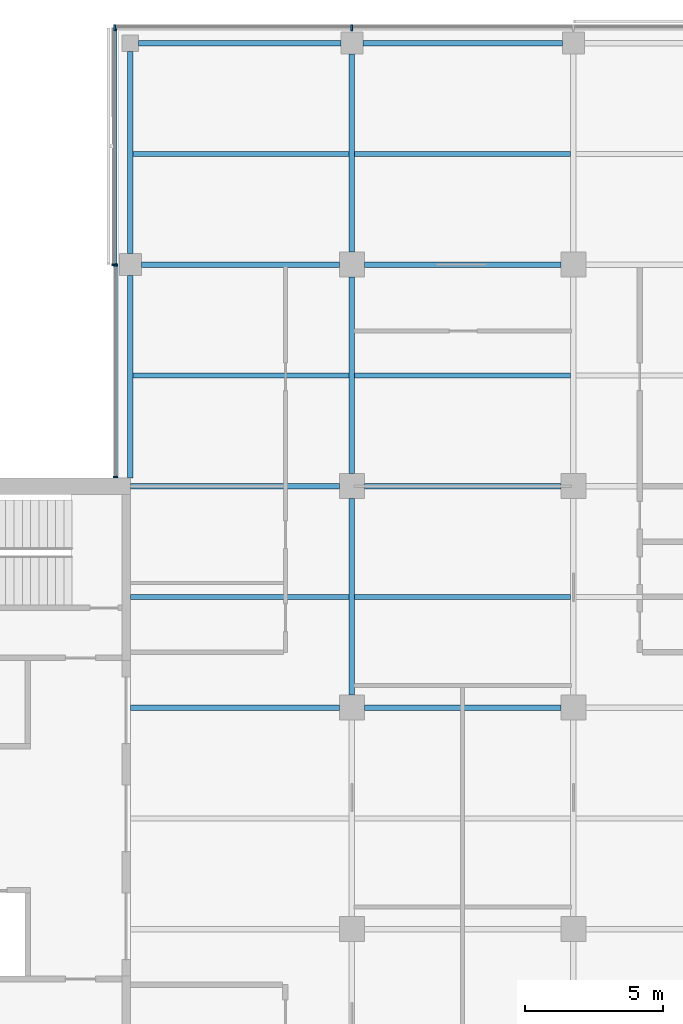
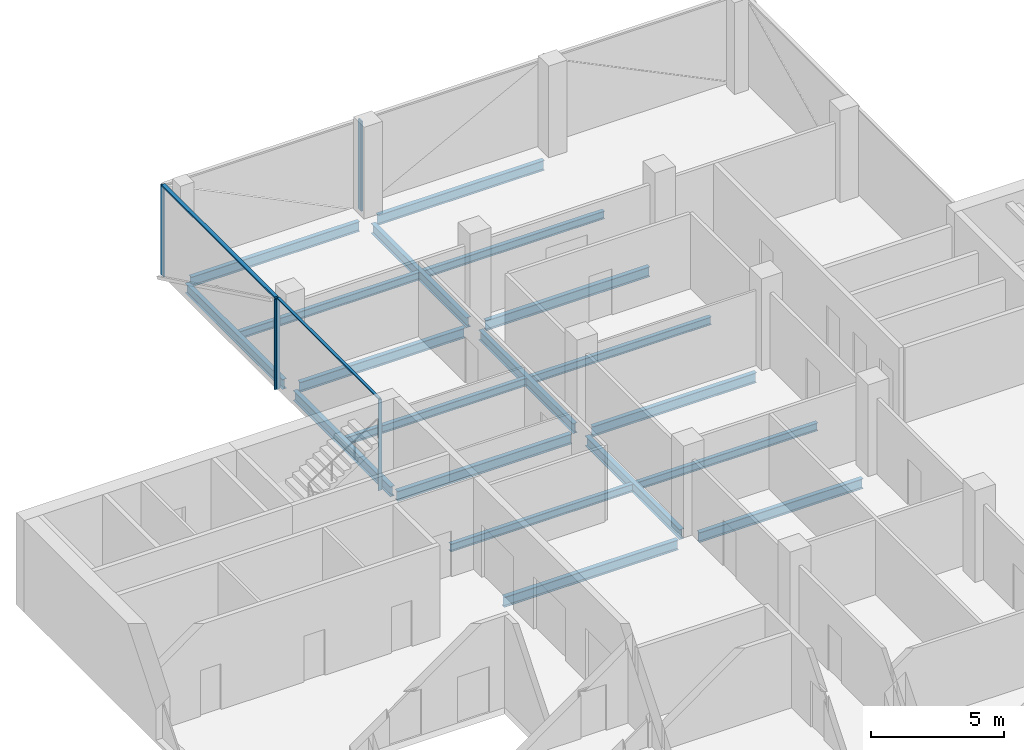
# One storey, part 5 of 16: 19 beams, 7 members, 3 elements without a shape of their own.
"""IFC4 building model written with IfcOpenShell, lengths in metres."""

from ifc_helpers import new_model, si_unit, direction, frame, origin, origin_2d, place, context, subcontext, project, spatial, rectangle, i_section, extrude, material, material_profile, profile_set, type_object, element, aggregate, save


model = new_model("IFC4")

# Units and contexts
model_context = context("Model", 3, precision=1e-05, world=origin(), true_north=direction((0.0, 1.0)))
body_context = subcontext(model_context, "Body", "Model", "MODEL_VIEW")
ifc_project = project(units=[si_unit("LENGTHUNIT", "METRE"), si_unit("AREAUNIT", "SQUARE_METRE"), si_unit("VOLUMEUNIT", "CUBIC_METRE"), si_unit("PLANEANGLEUNIT", "RADIAN"), si_unit("MASSUNIT", "GRAM", prefix="KILO")], contexts=[model_context])

# Site, building, storey
site_placement = place(None, origin())
site = spatial("IfcSite", under=ifc_project, at=site_placement, CompositionType="ELEMENT")
building_placement = place(site_placement, origin())
building = spatial("IfcBuilding", under=site, at=building_placement, Name="Crosswind Convention Tower", CompositionType="ELEMENT")
storey_placement = place(building_placement, frame((0.0, 0.0, 212.5)))
storey = spatial("IfcBuildingStorey", under=building, at=storey_placement, Name="L45", CompositionType="ELEMENT", Elevation=212.5)

# Beams
ifc_material_1 = material(Name="Steel S355", Category="steel")
ifc_material_profile_1 = material_profile(ifc_material_1, i_section(OverallWidth=0.18994140625, OverallDepth=0.45361328125, WebThickness=0.008544921875, FlangeThickness=0.0126953125, FilletRadius=0.01025390625, at=origin_2d()), Name="UB 457x191x67")
ifc_profile_set_1 = profile_set([ifc_material_profile_1], Name="Steel S355")
beam_type_1 = type_object("IfcBeamType", Name="Edge beam UB 457x191x67", PredefinedType="SPANDREL", material=ifc_profile_set_1)
for number, where, z_axis, x_axis, name in (
    (1, (113.0, 112.300048828125, -0.52685546875), (0.0, 1.0, 0.0), (-1.0, 0.0, 0.0), "B16 L45 edge beam 3"),
    (2, (113.0, 120.39990234375, -0.52685546875), (0.0, 1.0, 0.0), (-1.0, 0.0, 0.0), "B16 L45 edge beam 4"),
    (3, (113.300048828125, 128.0, -0.52685546875), (1.0, 0.0, 0.0), (0.0, 1.0, 0.0), "B16 L45 edge beam 6"),
):
    element("IfcBeam", number, at=place(storey_placement, frame(where, z_axis=z_axis, x_axis=x_axis)), inside=storey, type_object=beam_type_1, Name=name, PredefinedType="SPANDREL", context=body_context, shape_type="SweptSolid", body=[
        extrude(i_section(OverallWidth=0.18994140625, OverallDepth=0.45361328125, WebThickness=0.008544921875, FlangeThickness=0.0126953125, FilletRadius=0.01025390625, at=origin_2d()), origin(), (0.0, 0.0, 1.0), 7.300048828125),
    ])
beam_1_placement = place(storey_placement, frame((121.39990234375, 128.0, -0.52685546875), z_axis=(1.0, 0.0, 0.0), x_axis=(0.0, 1.0, 0.0)))
element("IfcBeam", 4, at=beam_1_placement, inside=storey, type_object=beam_type_1, Name="B16 L45 edge beam 8", PredefinedType="SPANDREL", context=body_context, shape_type="SweptSolid", body=[
    extrude(i_section(OverallWidth=0.18994140625, OverallDepth=0.45361328125, WebThickness=0.008544921875, FlangeThickness=0.0126953125, FilletRadius=0.01025390625, at=origin_2d()), origin(), (0.0, 0.0, 1.0), 7.2001953125),
])
ifc_material_profile_2 = material_profile(ifc_material_1, i_section(OverallWidth=0.1904296875, OverallDepth=0.457275390625, WebThickness=0.009033203125, FlangeThickness=0.014404296875, FilletRadius=0.01025390625, at=origin_2d()), Name="UB 457x191x75")
ifc_profile_set_2 = profile_set([ifc_material_profile_2], Name="Steel S355")
beam_type_2 = type_object("IfcBeamType", Name="Girder UB 457x191x75", PredefinedType="BEAM", material=ifc_profile_set_2)
beam_2_placement = place(storey_placement, frame((113.39990234375, 120.0, -0.528564453125), z_axis=(1.0, 0.0, 0.0), x_axis=(0.0, 1.0, 0.0)))
element("IfcBeam", 5, at=beam_2_placement, inside=storey, type_object=beam_type_2, Name="B2 L45 girder 2", PredefinedType="BEAM", context=body_context, shape_type="SweptSolid", body=[
    extrude(i_section(OverallWidth=0.1904296875, OverallDepth=0.457275390625, WebThickness=0.009033203125, FlangeThickness=0.014404296875, FilletRadius=0.01025390625, at=origin_2d()), origin(), (0.0, 0.0, 1.0), 7.150146484375),
])
for number, where, z_axis, x_axis, name in (
    (6, (121.0, 104.449951171875, -0.528564453125), (0.0, 1.0, 0.0), (-1.0, 0.0, 0.0), "B2 L45 girder 7"),
    (7, (121.0, 112.449951171875, -0.528564453125), (0.0, 1.0, 0.0), (-1.0, 0.0, 0.0), "B2 L45 girder 8"),
):
    element("IfcBeam", number, at=place(storey_placement, frame(where, z_axis=z_axis, x_axis=x_axis)), inside=storey, type_object=beam_type_2, Name=name, PredefinedType="BEAM", context=body_context, shape_type="SweptSolid", body=[
        extrude(i_section(OverallWidth=0.1904296875, OverallDepth=0.457275390625, WebThickness=0.009033203125, FlangeThickness=0.014404296875, FilletRadius=0.01025390625, at=origin_2d()), origin(), (0.0, 0.0, 1.0), 7.10009765625),
    ])
beam_3_placement = place(storey_placement, frame((121.0, 120.449951171875, -0.528564453125), z_axis=(0.0, 1.0, 0.0), x_axis=(-1.0, 0.0, 0.0)))
element("IfcBeam", 8, at=beam_3_placement, inside=storey, type_object=beam_type_2, Name="B2 L45 girder 9", PredefinedType="BEAM", context=body_context, shape_type="SweptSolid", body=[
    extrude(i_section(OverallWidth=0.1904296875, OverallDepth=0.457275390625, WebThickness=0.009033203125, FlangeThickness=0.014404296875, FilletRadius=0.01025390625, at=origin_2d()), origin(), (0.0, 0.0, 1.0), 7.150146484375),
])
for number, where, z_axis, x_axis, name in (
    (9, (121.449951171875, 104.0, -0.528564453125), (1.0, 0.0, 0.0), (0.0, 1.0, 0.0), "B2 L45 girder 13"),
    (10, (121.449951171875, 112.0, -0.528564453125), (1.0, 0.0, 0.0), (0.0, 1.0, 0.0), "B2 L45 girder 14"),
    (11, (121.449951171875, 120.0, -0.528564453125), (1.0, 0.0, 0.0), (0.0, 1.0, 0.0), "B2 L45 girder 15"),
):
    element("IfcBeam", number, at=place(storey_placement, frame(where, z_axis=z_axis, x_axis=x_axis)), inside=storey, type_object=beam_type_2, Name=name, PredefinedType="BEAM", context=body_context, shape_type="SweptSolid", body=[
        extrude(i_section(OverallWidth=0.1904296875, OverallDepth=0.457275390625, WebThickness=0.009033203125, FlangeThickness=0.014404296875, FilletRadius=0.01025390625, at=origin_2d()), origin(), (0.0, 0.0, 1.0), 7.10009765625),
    ])
ifc_material_profile_3 = material_profile(ifc_material_1, i_section(OverallWidth=0.19140625, OverallDepth=0.460205078125, WebThickness=0.010009765625, FlangeThickness=0.01611328125, FilletRadius=0.01025390625, at=origin_2d()), Name="UB 457x191x82")
ifc_profile_set_3 = profile_set([ifc_material_profile_3], Name="Steel S355")
beam_type_3 = type_object("IfcBeamType", Name="Girder at core wall UB 457x191x82", PredefinedType="BEAM", material=ifc_profile_set_3)
for number, where, z_axis, x_axis, name in (
    (12, (113.0, 104.0, -0.530029296875), (1.0, 0.0, 0.0), (0.0, 1.0, 0.0), "B23 L45 girder at core wall 3"),
    (13, (113.0, 112.0, -0.530029296875), (1.0, 0.0, 0.0), (0.0, 1.0, 0.0), "B23 L45 girder at core wall 4"),
):
    element("IfcBeam", number, at=place(storey_placement, frame(where, z_axis=z_axis, x_axis=x_axis)), inside=storey, type_object=beam_type_3, Name=name, PredefinedType="BEAM", context=body_context, shape_type="SweptSolid", body=[
        extrude(i_section(OverallWidth=0.19140625, OverallDepth=0.460205078125, WebThickness=0.010009765625, FlangeThickness=0.01611328125, FilletRadius=0.01025390625, at=origin_2d()), origin(), (0.0, 0.0, 1.0), 7.550048828125),
    ])

# Curtain wall, members
ifc_material_2 = material(Name="Aluminium unitised curtain wall", Category="aluminium")
curtain_wall_type_1 = type_object("IfcCurtainWallType", Name="CORE END SLOT WALL 160", PredefinedType="USERDEFINED", material=ifc_material_2)
curtain_wall_1_placement = place(storey_placement, origin())
curtain_wall_1 = element("IfcCurtainWall", 14, at=curtain_wall_1_placement, inside=storey, type_object=curtain_wall_type_1, Name="CW6 L45 N-W.1-2 slot", ObjectType="UNITISED", PredefinedType="USERDEFINED")
ifc_material_3 = material(Name="Aluminium mullion", Category="aluminium")
ifc_material_profile_4 = material_profile(ifc_material_3, rectangle(XDim=0.159912109375, YDim=0.050048828125, at=origin_2d()), Name="AL 160X50")
ifc_profile_set_4 = profile_set([ifc_material_profile_4], Name="Aluminium mullion")
member_type_1 = type_object("IfcMemberType", Name="MULLION 50X160", PredefinedType="MULLION", material=ifc_profile_set_4)
member_1_placement = place(storey_placement, frame((112.469970703125, 119.97509765625, -0.300048828125), z_axis=(0.0, 0.0, 1.0), x_axis=(-1.0, 0.0, 0.0)))
member_1 = element("IfcMember", 15, at=member_1_placement, type_object=member_type_1, Name="CW6 mullion 1", PredefinedType="MULLION", context=body_context, shape_type="SweptSolid", body=[
    extrude(rectangle(XDim=0.159912109375, YDim=0.050048828125, at=origin_2d()), origin(), (0.0, 0.0, 1.0), 4.150146484375),
])
member_2_placement = place(storey_placement, frame((112.469970703125, 112.324951171875, -0.300048828125), z_axis=(0.0, 0.0, 1.0), x_axis=(-1.0, 0.0, 0.0)))
member_2 = element("IfcMember", 16, at=member_2_placement, type_object=member_type_1, Name="CW6 mullion 2", PredefinedType="MULLION", context=body_context, shape_type="SweptSolid", body=[
    extrude(rectangle(XDim=0.159912109375, YDim=0.050048828125, at=origin_2d()), origin(), (0.0, 0.0, 1.0), 4.150146484375),
])

curtain_wall_type_2 = type_object("IfcCurtainWallType", Name="OFFICE UNITISED WALL 220", PredefinedType="USERDEFINED", material=ifc_material_2)
curtain_wall_2_placement = place(storey_placement, origin())
curtain_wall_2 = element("IfcCurtainWall", 17, at=curtain_wall_2_placement, inside=storey, type_object=curtain_wall_type_2, Name="CW3 L45 N-TIP 1", ObjectType="UNITISED", PredefinedType="USERDEFINED")
ifc_material_profile_5 = material_profile(ifc_material_3, rectangle(XDim=0.219970703125, YDim=0.070068359375, at=origin_2d()), Name="AL 220X70")
ifc_profile_set_5 = profile_set([ifc_material_profile_5], Name="Aluminium mullion")
member_type_2 = type_object("IfcMemberType", Name="MULLION 70X220", PredefinedType="MULLION", material=ifc_profile_set_5)
member_3_placement = place(storey_placement, frame((121.0, 128.56005859375, -0.300048828125), z_axis=(0.0, 0.0, 1.0), x_axis=(0.0, 1.0, 0.0)))
member_3 = element("IfcMember", 18, at=member_3_placement, type_object=member_type_2, Name="CW3 mullion 3", PredefinedType="MULLION", context=body_context, shape_type="SweptSolid", body=[
    extrude(rectangle(XDim=0.219970703125, YDim=0.070068359375, at=origin_2d()), origin(), (0.0, 0.0, 1.0), 4.130126953125),
])
member_4_placement = place(storey_placement, frame((112.43994140625, 128.56005859375, -0.300048828125), z_axis=(0.0, 0.0, 1.0), x_axis=(0.0, 1.0, 0.0)))
member_4 = element("IfcMember", 19, at=member_4_placement, type_object=member_type_2, Name="CW3 mullion 4", PredefinedType="MULLION", context=body_context, shape_type="SweptSolid", body=[
    extrude(rectangle(XDim=0.219970703125, YDim=0.070068359375, at=origin_2d()), origin(), (0.0, 0.0, 1.0), 4.130126953125),
])
aggregate(curtain_wall_2, [member_3, member_4])

# Curtain wall, member
curtain_wall_3_placement = place(storey_placement, origin())
curtain_wall_3 = element("IfcCurtainWall", 20, at=curtain_wall_3_placement, inside=storey, type_object=curtain_wall_type_2, Name="CW3 L45 N-W 1", ObjectType="UNITISED", PredefinedType="USERDEFINED")
member_5_placement = place(storey_placement, frame((112.43994140625, 120.0, -0.300048828125), z_axis=(0.0, 0.0, 1.0), x_axis=(-1.0, 0.0, 0.0)))
member_5 = element("IfcMember", 21, at=member_5_placement, type_object=member_type_2, Name="CW3 mullion 2", PredefinedType="MULLION", context=body_context, shape_type="SweptSolid", body=[
    extrude(rectangle(XDim=0.219970703125, YDim=0.070068359375, at=origin_2d()), origin(), (0.0, 0.0, 1.0), 4.130126953125),
])

# Beams
ifc_material_profile_6 = material_profile(ifc_material_1, i_section(OverallWidth=0.172119140625, OverallDepth=0.358642578125, WebThickness=0.008056640625, FlangeThickness=0.012939453125, FilletRadius=0.01025390625, at=origin_2d()), Name="UB 356x171x57")
ifc_profile_set_6 = profile_set([ifc_material_profile_6], Name="Steel S355")
beam_type_4 = type_object("IfcBeamType", Name="Secondary beam UB 356x171x57", PredefinedType="JOIST", material=ifc_profile_set_6)
beam_4_placement = place(storey_placement, frame((113.0, 108.0, -0.479248046875), z_axis=(1.0, 0.0, 0.0), x_axis=(0.0, 1.0, 0.0)))
element("IfcBeam", 22, at=beam_4_placement, inside=storey, type_object=beam_type_4, Name="B9 L45 secondary beam 3", PredefinedType="JOIST", context=body_context, shape_type="SweptSolid", body=[
    extrude(i_section(OverallWidth=0.172119140625, OverallDepth=0.358642578125, WebThickness=0.008056640625, FlangeThickness=0.012939453125, FilletRadius=0.01025390625, at=origin_2d()), origin(), (0.0, 0.0, 1.0), 7.90478515625),
])
for number, where, z_axis, x_axis, name in (
    (23, (113.094970703125, 116.0, -0.479248046875), (1.0, 0.0, 0.0), (0.0, 1.0, 0.0), "B9 L45 secondary beam 6"),
    (24, (113.094970703125, 124.0, -0.479248046875), (1.0, 0.0, 0.0), (0.0, 1.0, 0.0), "B9 L45 secondary beam 7"),
):
    element("IfcBeam", number, at=place(storey_placement, frame(where, z_axis=z_axis, x_axis=x_axis)), inside=storey, type_object=beam_type_4, Name=name, PredefinedType="JOIST", context=body_context, shape_type="SweptSolid", body=[
        extrude(i_section(OverallWidth=0.172119140625, OverallDepth=0.358642578125, WebThickness=0.008056640625, FlangeThickness=0.012939453125, FilletRadius=0.01025390625, at=origin_2d()), origin(), (0.0, 0.0, 1.0), 7.809814453125),
    ])
for number, where, z_axis, x_axis, name in (
    (25, (121.09521484375, 108.0, -0.479248046875), (1.0, 0.0, 0.0), (0.0, 1.0, 0.0), "B9 L45 secondary beam 12"),
    (26, (121.09521484375, 116.0, -0.479248046875), (1.0, 0.0, 0.0), (0.0, 1.0, 0.0), "B9 L45 secondary beam 13"),
    (27, (121.09521484375, 124.0, -0.479248046875), (1.0, 0.0, 0.0), (0.0, 1.0, 0.0), "B9 L45 secondary beam 14"),
):
    element("IfcBeam", number, at=place(storey_placement, frame(where, z_axis=z_axis, x_axis=x_axis)), inside=storey, type_object=beam_type_4, Name=name, PredefinedType="JOIST", context=body_context, shape_type="SweptSolid", body=[
        extrude(i_section(OverallWidth=0.172119140625, OverallDepth=0.358642578125, WebThickness=0.008056640625, FlangeThickness=0.012939453125, FilletRadius=0.01025390625, at=origin_2d()), origin(), (0.0, 0.0, 1.0), 7.8095703125),
    ])

# Member
ifc_material_4 = material(Name="Aluminium transom", Category="aluminium")
ifc_material_profile_7 = material_profile(ifc_material_4, rectangle(XDim=0.1201171875, YDim=0.050048828125, at=origin_2d()), Name="AL 120X50")
ifc_profile_set_7 = profile_set([ifc_material_profile_7], Name="Aluminium transom")
member_type_3 = type_object("IfcMemberType", Name="TRANSOM 50X120", PredefinedType="USERDEFINED", material=ifc_profile_set_7)
member_6_placement = place(storey_placement, frame((112.469970703125, 119.949951171875, 3.875), z_axis=(0.0, -1.0, 0.0), x_axis=(1.0, 0.0, 0.0)))
member_6 = element("IfcMember", 28, at=member_6_placement, type_object=member_type_3, Name="CW6 transom", ObjectType="TRANSOM", PredefinedType="USERDEFINED", context=body_context, shape_type="SweptSolid", body=[
    extrude(rectangle(XDim=0.1201171875, YDim=0.050048828125, at=origin_2d()), origin(), (0.0, 0.0, 1.0), 7.599853515625),
])

aggregate(curtain_wall_1, [member_1, member_2, member_6])

ifc_material_profile_8 = material_profile(ifc_material_4, rectangle(XDim=0.159912109375, YDim=0.070068359375, at=origin_2d()), Name="AL 160X70")
ifc_profile_set_8 = profile_set([ifc_material_profile_8], Name="Aluminium transom")
member_type_4 = type_object("IfcMemberType", Name="TRANSOM 70X160", PredefinedType="USERDEFINED", material=ifc_profile_set_8)
member_7_placement = place(storey_placement, frame((112.43994140625, 128.52490234375, 3.864990234375), z_axis=(0.0, -1.0, 0.0), x_axis=(1.0, 0.0, 0.0)))
member_7 = element("IfcMember", 29, at=member_7_placement, type_object=member_type_4, Name="CW3 transom", ObjectType="TRANSOM", PredefinedType="USERDEFINED", context=body_context, shape_type="SweptSolid", body=[
    extrude(rectangle(XDim=0.159912109375, YDim=0.070068359375, at=origin_2d()), origin(), (0.0, 0.0, 1.0), 8.489990234375),
])

aggregate(curtain_wall_3, [member_5, member_7])

save(model, "model.ifc")
